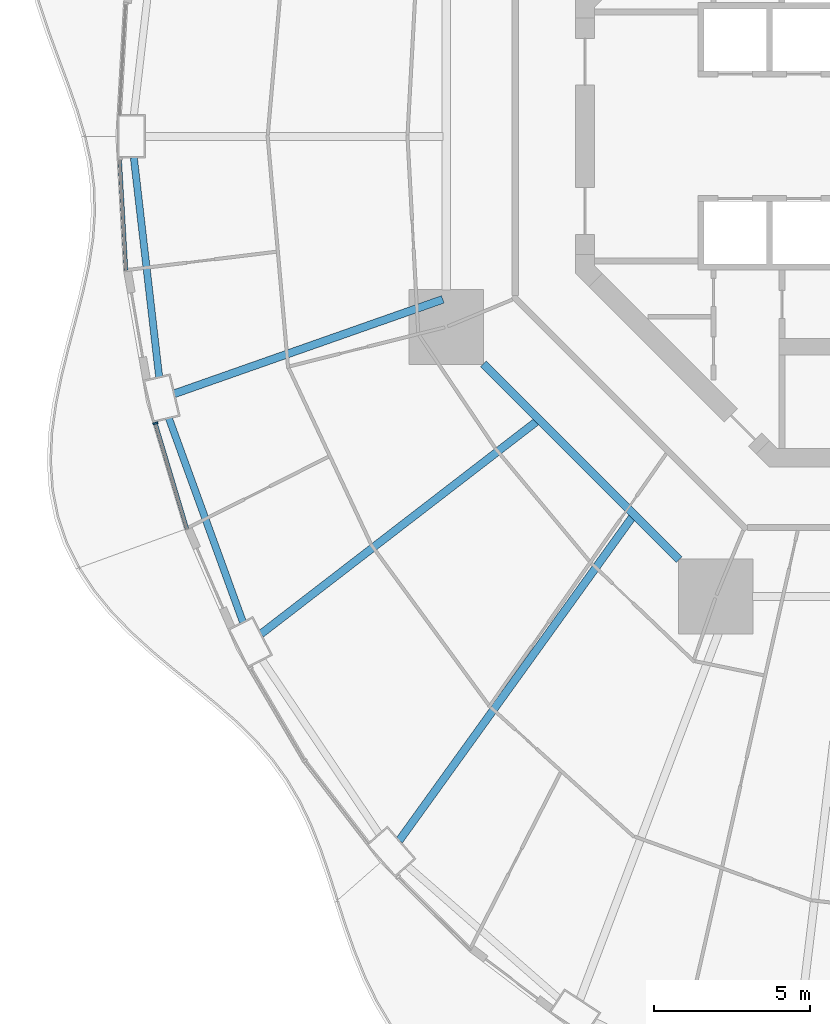
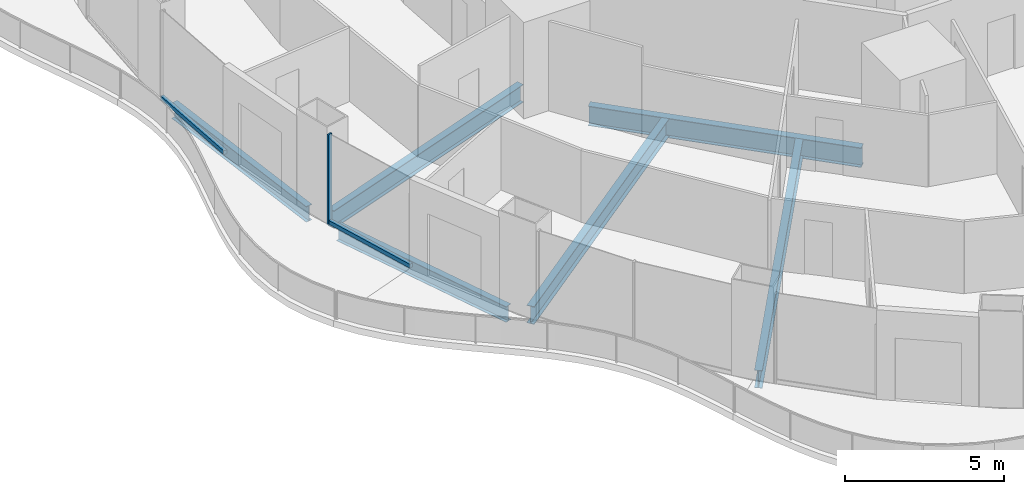
# One storey, part 3 of 22: 6 beams, 3 members, 2 elements without a shape of their own.
"""IFC4 building model written with IfcOpenShell, lengths in metres."""

from ifc_helpers import new_model, si_unit, direction, frame, origin, origin_2d, place, context, subcontext, project, spatial, rectangle, i_section, extrude, material, layer, layer_set, material_profile, profile_set, type_object, element, aggregate, save


model = new_model("IFC4")

# Units and contexts
model_context = context("Model", 3, precision=1e-05, world=origin(), true_north=direction((0.0, 1.0)))
body_context = subcontext(model_context, "Body", "Model", "MODEL_VIEW")
ifc_project = project(units=[si_unit("LENGTHUNIT", "METRE"), si_unit("AREAUNIT", "SQUARE_METRE"), si_unit("VOLUMEUNIT", "CUBIC_METRE"), si_unit("PLANEANGLEUNIT", "RADIAN"), si_unit("MASSUNIT", "GRAM", prefix="KILO")], contexts=[model_context])

# Site, building, storey
site_placement = place(None, origin())
site = spatial("IfcSite", under=ifc_project, at=site_placement, CompositionType="ELEMENT")
building_placement = place(site_placement, origin())
building = spatial("IfcBuilding", under=site, at=building_placement, Name="Nagisa Residences", CompositionType="ELEMENT")
storey_placement = place(building_placement, frame((0.0, 0.0, 41.800048828125)))
storey = spatial("IfcBuildingStorey", under=building, at=storey_placement, Name="L09", CompositionType="ELEMENT", Elevation=41.800048828125)

# Curtain wall, member
ifc_material_1 = material(Name="Concrete-coloured aluminium curtain wall system", Category="concrete")
ifc_layer = layer(ifc_material_1, 0.159912109375)
ifc_layer_set = layer_set([ifc_layer], Name="CW1 CURTAIN WALL")
curtain_wall_type = type_object("IfcCurtainWallType", Name="CW1 CURTAIN WALL", PredefinedType="NOTDEFINED", material=ifc_layer_set)
curtain_wall_1_placement = place(storey_placement, origin())
curtain_wall_1 = element("IfcCurtainWall", 1, at=curtain_wall_1_placement, inside=storey, type_object=curtain_wall_type, Name="cw:CW1:L09:26", PredefinedType="NOTDEFINED")
ifc_material_2 = material(Name="Concrete-coloured aluminium", Category="concrete")
ifc_material_profile_1 = material_profile(ifc_material_2, rectangle(XDim=0.159912109375, YDim=0.06005859375, at=origin_2d()), Name="CW1 MULLION 160x60")
ifc_profile_set_1 = profile_set([ifc_material_profile_1], Name="Concrete-coloured aluminium")
member_type_1 = type_object("IfcMemberType", Name="CW1 MULLION 160x60", PredefinedType="MULLION", material=ifc_profile_set_1)
member_1_placement = place(storey_placement, frame((-24.12646484375, -9.2177734375, 0.0), z_axis=(0.0, 0.0, 1.0), x_axis=(0.958271310082, 0.285860274038, 0.0)))
member_1 = element("IfcMember", 2, at=member_1_placement, type_object=member_type_1, Name="CW1 mullion", PredefinedType="MULLION", context=body_context, shape_type="SweptSolid", body=[
    extrude(rectangle(XDim=0.159912109375, YDim=0.06005859375, at=origin_2d()), origin(), (0.0, 0.0, 1.0), 3.43994140625),
])

curtain_wall_2_placement = place(storey_placement, origin())
curtain_wall_2 = element("IfcCurtainWall", 3, at=curtain_wall_2_placement, inside=storey, type_object=curtain_wall_type, Name="cw:CW1:L09:24", PredefinedType="NOTDEFINED")
ifc_material_3 = material(Name="Concrete-coloured aluminium", Category="concrete")
ifc_material_profile_2 = material_profile(ifc_material_3, rectangle(XDim=0.1201171875, YDim=0.14990234375, at=origin_2d()), Name="CW1 TRANSOM 120x150")
ifc_profile_set_2 = profile_set([ifc_material_profile_2], Name="Concrete-coloured aluminium")
member_type_2 = type_object("IfcMemberType", Name="CW1 TRANSOM 120x150", PredefinedType="USERDEFINED", material=ifc_profile_set_2)
member_2_placement = place(storey_placement, frame((-25.27978515625, -0.6943359375, 0.074951171875), z_axis=(0.057482603412, -0.998346508135, 0.0), x_axis=(0.998346508135, 0.057482603412, 0.0)))
member_2 = element("IfcMember", 4, at=member_2_placement, type_object=member_type_2, Name="CW1 transom", ObjectType="TRANSOM", PredefinedType="USERDEFINED", context=body_context, shape_type="SweptSolid", body=[
    extrude(rectangle(XDim=0.1201171875, YDim=0.14990234375, at=origin_2d()), origin(), (0.0, 0.0, 1.0), 3.6142578125),
])
aggregate(curtain_wall_2, [member_2])

# Member
member_3_placement = place(storey_placement, frame((-24.135009765625, -9.18896484375, 0.074951171875), z_axis=(0.285808431121, -0.958286773727, 0.0), x_axis=(0.958286773727, 0.285808431121, 0.0)))
member_3 = element("IfcMember", 5, at=member_3_placement, type_object=member_type_2, Name="CW1 transom", ObjectType="TRANSOM", PredefinedType="USERDEFINED", context=body_context, shape_type="SweptSolid", body=[
    extrude(rectangle(XDim=0.1201171875, YDim=0.14990234375, at=origin_2d()), origin(), (0.0, 0.0, 1.0), 3.5654296875),
])

aggregate(curtain_wall_1, [member_1, member_3])

# Beams
ifc_material_4 = material(Name="Steel ASTM A572 Gr 50", Category="steel")
ifc_material_profile_3 = material_profile(ifc_material_4, i_section(OverallWidth=0.264892578125, OverallDepth=0.7529296875, WebThickness=0.01318359375, FlangeThickness=0.01708984375, at=origin_2d()), Name="W760x147")
ifc_profile_set_3 = profile_set([ifc_material_profile_3], Name="Steel ASTM A572 Gr 50")
beam_type_1 = type_object("IfcBeamType", Name="Inner ring beam W760x147", PredefinedType="BEAM", material=ifc_profile_set_3)
beam_1_placement = place(storey_placement, frame((-13.59619140625, -7.308837890625, -0.636474609375), z_axis=(0.707106781187, -0.707106781187, 0.0), x_axis=(0.707106781187, 0.707106781187, 0.0)))
element("IfcBeam", 6, at=beam_1_placement, inside=storey, type_object=beam_type_1, Name="beam:L09:ib5", PredefinedType="BEAM", context=body_context, shape_type="SweptSolid", body=[
    extrude(i_section(OverallWidth=0.264892578125, OverallDepth=0.7529296875, WebThickness=0.01318359375, FlangeThickness=0.01708984375, at=origin_2d()), origin(), (0.0, 0.0, 1.0), 8.8916015625),
])
ifc_material_5 = material(Name="Steel ASTM A572 Gr 50", Category="steel")
ifc_material_profile_4 = material_profile(ifc_material_5, i_section(OverallWidth=0.22802734375, OverallDepth=0.60302734375, WebThickness=0.010498046875, FlangeThickness=0.014892578125, at=origin_2d()), Name="W610x101")
ifc_profile_set_4 = profile_set([ifc_material_profile_4], Name="Steel ASTM A572 Gr 50")
beam_type_2 = type_object("IfcBeamType", Name="Perimeter ring beam W610x101", PredefinedType="BEAM", material=ifc_profile_set_4)
beam_2_placement = place(storey_placement, frame((-24.821533203125, -0.68017578125, -0.5615234375), z_axis=(0.114707660057, -0.993399291687, 0.0), x_axis=(0.993399291687, 0.114707660057, 0.0)))
element("IfcBeam", 7, at=beam_2_placement, inside=storey, type_object=beam_type_2, Name="beam:L09:pb13", PredefinedType="BEAM", context=body_context, shape_type="SweptSolid", body=[
    extrude(i_section(OverallWidth=0.22802734375, OverallDepth=0.60302734375, WebThickness=0.010498046875, FlangeThickness=0.014892578125, at=origin_2d()), origin(), (0.0, 0.0, 1.0), 7.09814453125),
])
beam_3_placement = place(storey_placement, frame((-23.695068359375, -9.055419921875, -0.5615234375), z_axis=(0.341411143183, -0.939914055279, 0.0), x_axis=(0.939914055279, 0.341411143183, 0.0)))
element("IfcBeam", 8, at=beam_3_placement, inside=storey, type_object=beam_type_2, Name="beam:L09:pb14", PredefinedType="BEAM", context=body_context, shape_type="SweptSolid", body=[
    extrude(i_section(OverallWidth=0.22802734375, OverallDepth=0.60302734375, WebThickness=0.010498046875, FlangeThickness=0.014892578125, at=origin_2d()), origin(), (0.0, 0.0, 1.0), 6.96923828125),
])
ifc_material_6 = material(Name="Steel ASTM A572 Gr 50", Category="steel")
ifc_material_profile_5 = material_profile(ifc_material_6, i_section(OverallWidth=0.25390625, OverallDepth=0.68408203125, WebThickness=0.012451171875, FlangeThickness=0.018798828125, at=origin_2d()), Name="W690x140")
ifc_profile_set_5 = profile_set([ifc_material_profile_5], Name="Steel ASTM A572 Gr 50")
beam_type_3 = type_object("IfcBeamType", Name="Radial beam W690x140", PredefinedType="BEAM", material=ifc_profile_set_5)
beam_4_placement = place(storey_placement, frame((-23.520751953125, -8.26806640625, -0.60205078125), z_axis=(0.943414535235, 0.331615763659, 0.0), x_axis=(-0.331615763659, 0.943414535235, 0.0)))
element("IfcBeam", 9, at=beam_4_placement, inside=storey, type_object=beam_type_3, Name="beam:L09:rb14", PredefinedType="BEAM", context=body_context, shape_type="SweptSolid", body=[
    extrude(i_section(OverallWidth=0.25390625, OverallDepth=0.68408203125, WebThickness=0.012451171875, FlangeThickness=0.018798828125, at=origin_2d()), origin(), (0.0, 0.0, 1.0), 9.142333984375),
])
beam_5_placement = place(storey_placement, frame((-20.73486328125, -15.982666015625, -0.60205078125), z_axis=(0.792016146736, 0.610500141941, 0.0), x_axis=(-0.610500141941, 0.792016146736, 0.0)))
element("IfcBeam", 10, at=beam_5_placement, inside=storey, type_object=beam_type_3, Name="beam:L09:rb15", PredefinedType="BEAM", context=body_context, shape_type="SweptSolid", body=[
    extrude(i_section(OverallWidth=0.25390625, OverallDepth=0.68408203125, WebThickness=0.012451171875, FlangeThickness=0.018798828125, at=origin_2d()), origin(), (0.0, 0.0, 1.0), 11.160888671875),
])
beam_6_placement = place(storey_placement, frame((-16.29443359375, -22.62255859375, -0.60205078125), z_axis=(0.58445507622, 0.811426068031, 0.0), x_axis=(-0.811426068031, 0.58445507622, 0.0)))
element("IfcBeam", 11, at=beam_6_placement, inside=storey, type_object=beam_type_3, Name="beam:L09:rb16", PredefinedType="BEAM", context=body_context, shape_type="SweptSolid", body=[
    extrude(i_section(OverallWidth=0.25390625, OverallDepth=0.68408203125, WebThickness=0.012451171875, FlangeThickness=0.018798828125, at=origin_2d()), origin(), (0.0, 0.0, 1.0), 12.78955078125),
])

save(model, "model.ifc")
